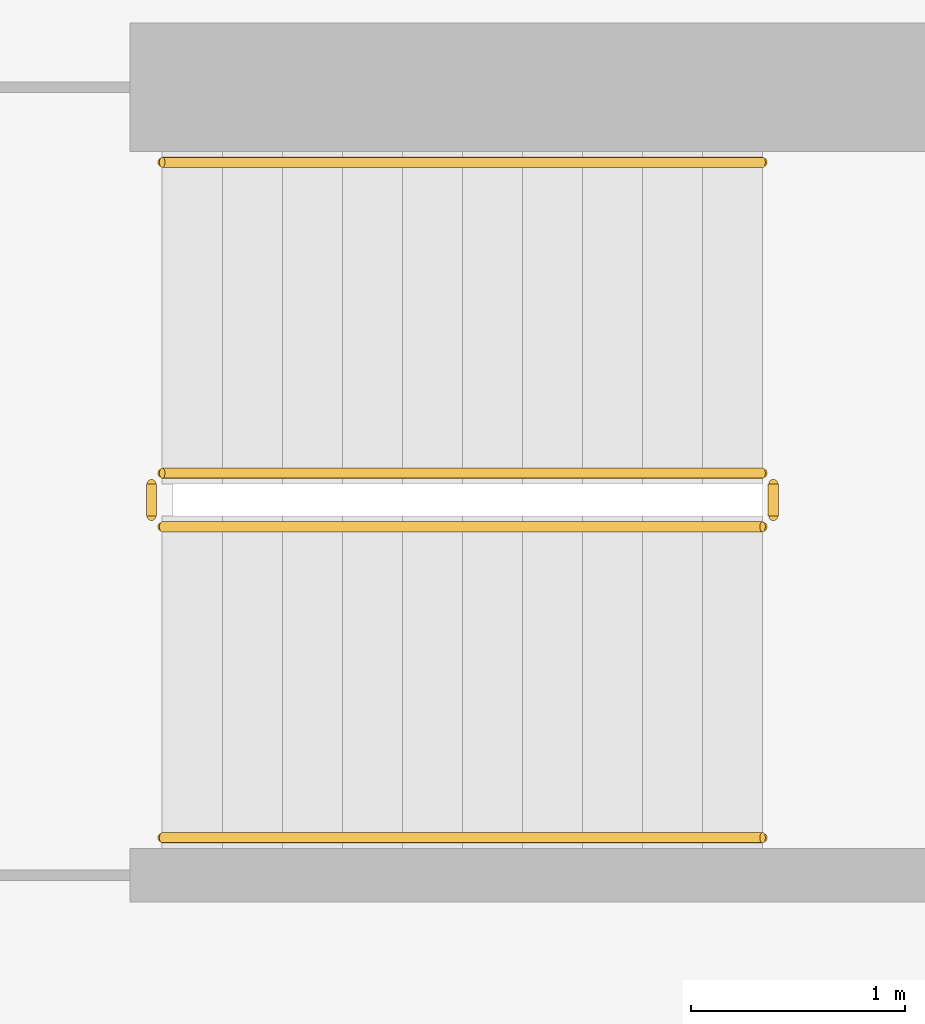
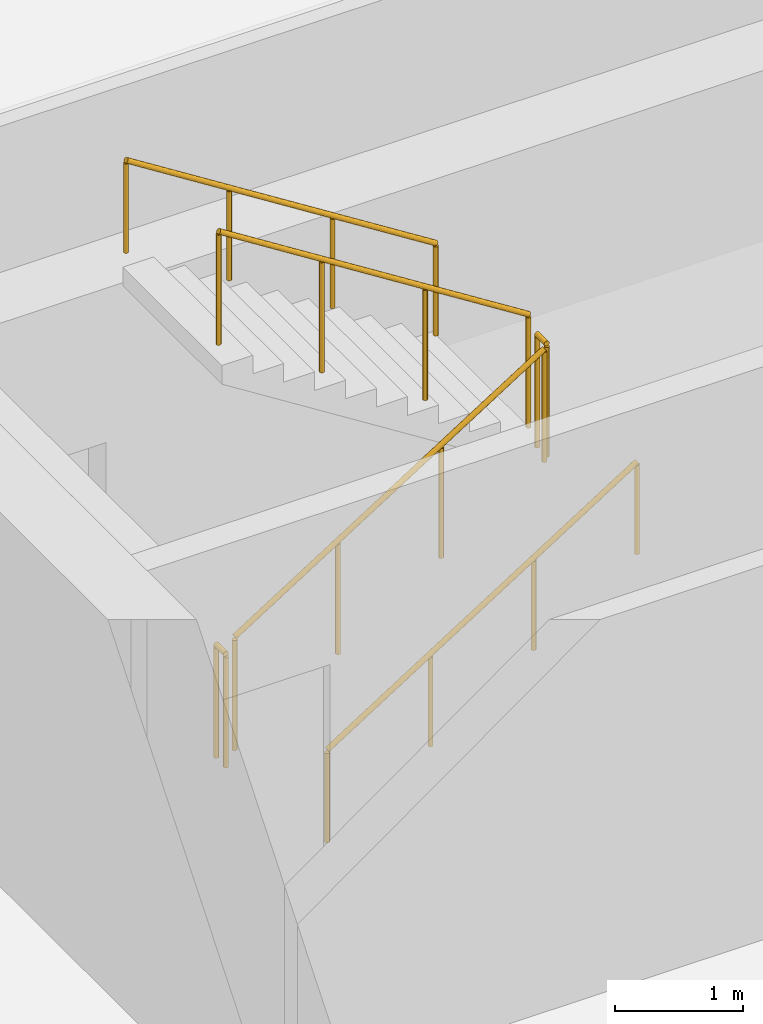
# One storey, part 9 of 11: 6 railings.
"""IFC4 building model written with IfcOpenShell, lengths in metres."""

from ifc_helpers import new_model, si_unit, direction, frame, origin, origin_2d, place, context, subcontext, project, spatial, circle, extrude, material, type_object, element, save


model = new_model("IFC4")

# Units and contexts
model_context = context("Model", 3, precision=1e-05, world=origin(), true_north=direction((0.0, 1.0)))
body_context = subcontext(model_context, "Body", "Model", "MODEL_VIEW")
ifc_project = project(units=[si_unit("LENGTHUNIT", "METRE"), si_unit("AREAUNIT", "SQUARE_METRE"), si_unit("VOLUMEUNIT", "CUBIC_METRE"), si_unit("PLANEANGLEUNIT", "RADIAN"), si_unit("MASSUNIT", "GRAM", prefix="KILO")], contexts=[model_context])

# Site, building, storey
site_placement = place(None, origin())
site = spatial("IfcSite", under=ifc_project, at=site_placement, CompositionType="ELEMENT")
building_placement = place(site_placement, origin())
building = spatial("IfcBuilding", under=site, at=building_placement, Name="Dhurran Vertical Campus", CompositionType="ELEMENT")
storey_placement = place(building_placement, frame((0.0, 0.0, 270.300048828125)))
storey = spatial("IfcBuildingStorey", under=building, at=storey_placement, Name="L67", CompositionType="ELEMENT", Elevation=270.300048828125)

# Railings
ifc_material_1 = material(Name="Stainless steel balustrade", Category="steel")
railing_type_1 = type_object("IfcRailingType", Name="co-RL-GUARD-1100", PredefinedType="GUARDRAIL", material=ifc_material_1)
railing_1_placement = place(storey_placement, frame((-11.10009765625, 8.89990234375, 0.17724609375)))
element("IfcRailing", 1, at=railing_1_placement, inside=storey, type_object=railing_type_1, Name="L67 ST1 stair guard 1", PredefinedType="GUARDRAIL", context=body_context, shape_type="SweptSolid", body=[
    extrude(circle(Radius=0.02392578125, at=origin_2d()), frame((0.0, 0.0, 1.076171875), z_axis=(0.844908973607, 0.0, 0.534910110503), x_axis=(0.0, 1.0, 0.0)), (0.0, 0.0, 1.0), 3.31396484375),
    extrude(circle(Radius=0.02099609375, at=origin_2d()), origin(), (0.0, 0.0, 1.0), 1.052001953125),
    extrude(circle(Radius=0.02099609375, at=origin_2d()), frame((0.933349609375, 0.0, 0.5908203125)), (0.0, 0.0, 1.0), 1.052001953125),
    extrude(circle(Radius=0.02099609375, at=origin_2d()), frame((1.86669921875, 0.0, 1.181884765625)), (0.0, 0.0, 1.0), 1.052001953125),
    extrude(circle(Radius=0.02099609375, at=origin_2d()), frame((2.800048828125, 0.0, 1.772705078125)), (0.0, 0.0, 1.0), 1.052001953125),
])
railing_2_placement = place(storey_placement, frame((-8.25, 8.949951171875, 1.949951171875)))
element("IfcRailing", 2, at=railing_2_placement, inside=storey, type_object=railing_type_1, Name="L67 ST1 stair guard 2", PredefinedType="GUARDRAIL", context=body_context, shape_type="SweptSolid", body=[
    extrude(circle(Radius=0.02392578125, at=origin_2d()), frame((0.0, 0.0, 1.076171875), z_axis=(0.0, 1.0, 0.0), x_axis=(-1.0, 0.0, 0.0)), (0.0, 0.0, 1.0), 0.150146484375),
    extrude(circle(Radius=0.02099609375, at=origin_2d()), origin(), (0.0, 0.0, 1.0), 1.052001953125),
    extrude(circle(Radius=0.02099609375, at=origin_2d()), frame((0.0, 0.150146484375, 0.0)), (0.0, 0.0, 1.0), 1.052001953125),
])
railing_3_placement = place(storey_placement, frame((-8.300048828125, 9.14990234375, 2.127197265625)))
element("IfcRailing", 3, at=railing_3_placement, inside=storey, type_object=railing_type_1, Name="L67 ST1 stair guard 3", PredefinedType="GUARDRAIL", context=body_context, shape_type="SweptSolid", body=[
    extrude(circle(Radius=0.02392578125, at=origin_2d()), frame((0.0, 0.0, 1.076171875), z_axis=(-0.844908973607, 0.0, 0.534910110503), x_axis=(0.0, -1.0, 0.0)), (0.0, 0.0, 1.0), 3.31396484375),
    extrude(circle(Radius=0.02099609375, at=origin_2d()), origin(), (0.0, 0.0, 1.0), 1.052001953125),
    extrude(circle(Radius=0.02099609375, at=origin_2d()), frame((-0.933349609375, 0.0, 0.5908203125)), (0.0, 0.0, 1.0), 1.052001953125),
    extrude(circle(Radius=0.02099609375, at=origin_2d()), frame((-1.86669921875, 0.0, 1.181884765625)), (0.0, 0.0, 1.0), 1.052001953125),
    extrude(circle(Radius=0.02099609375, at=origin_2d()), frame((-2.800048828125, 0.0, 1.772705078125)), (0.0, 0.0, 1.0), 1.052001953125),
])
railing_4_placement = place(storey_placement, frame((-11.14990234375, 8.949951171875, 0.0)))
element("IfcRailing", 4, at=railing_4_placement, inside=storey, type_object=railing_type_1, Name="L67 ST1 stair guard 4", PredefinedType="GUARDRAIL", context=body_context, shape_type="SweptSolid", body=[
    extrude(circle(Radius=0.02392578125, at=origin_2d()), frame((0.0, 0.0, 1.076171875), z_axis=(0.0, 1.0, 0.0), x_axis=(-1.0, 0.0, 0.0)), (0.0, 0.0, 1.0), 0.150146484375),
    extrude(circle(Radius=0.02099609375, at=origin_2d()), origin(), (0.0, 0.0, 1.0), 1.052001953125),
    extrude(circle(Radius=0.02099609375, at=origin_2d()), frame((0.0, 0.150146484375, 0.0)), (0.0, 0.0, 1.0), 1.052001953125),
])
ifc_material_2 = material(Name="Stainless steel handrail", Category="steel")
railing_type_2 = type_object("IfcRailingType", Name="co-RL-HANDRAIL-900", PredefinedType="HANDRAIL", material=ifc_material_2)
railing_5_placement = place(storey_placement, frame((-11.10009765625, 7.449951171875, 0.17724609375)))
element("IfcRailing", 5, at=railing_5_placement, inside=storey, type_object=railing_type_2, Name="L67 ST1 stair handrail 1", PredefinedType="HANDRAIL", context=body_context, shape_type="SweptSolid", body=[
    extrude(circle(Radius=0.02392578125, at=origin_2d()), frame((0.0, 0.0, 0.8759765625), z_axis=(0.844908973607, 0.0, 0.534910110503), x_axis=(0.0, 1.0, 0.0)), (0.0, 0.0, 1.0), 3.31396484375),
    extrude(circle(Radius=0.02099609375, at=origin_2d()), origin(), (0.0, 0.0, 1.0), 0.851806640625),
    extrude(circle(Radius=0.02099609375, at=origin_2d()), frame((0.933349609375, 0.0, 0.5908203125)), (0.0, 0.0, 1.0), 0.851806640625),
    extrude(circle(Radius=0.02099609375, at=origin_2d()), frame((1.86669921875, 0.0, 1.181884765625)), (0.0, 0.0, 1.0), 0.851806640625),
    extrude(circle(Radius=0.02099609375, at=origin_2d()), frame((2.800048828125, 0.0, 1.772705078125)), (0.0, 0.0, 1.0), 0.851806640625),
])
railing_6_placement = place(storey_placement, frame((-8.300048828125, 10.60009765625, 2.127197265625)))
element("IfcRailing", 6, at=railing_6_placement, inside=storey, type_object=railing_type_2, Name="L67 ST1 stair handrail 2", PredefinedType="HANDRAIL", context=body_context, shape_type="SweptSolid", body=[
    extrude(circle(Radius=0.02392578125, at=origin_2d()), frame((0.0, 0.0, 0.8759765625), z_axis=(-0.844908973607, 0.0, 0.534910110503), x_axis=(0.0, -1.0, 0.0)), (0.0, 0.0, 1.0), 3.31396484375),
    extrude(circle(Radius=0.02099609375, at=origin_2d()), origin(), (0.0, 0.0, 1.0), 0.851806640625),
    extrude(circle(Radius=0.02099609375, at=origin_2d()), frame((-0.933349609375, 0.0, 0.5908203125)), (0.0, 0.0, 1.0), 0.851806640625),
    extrude(circle(Radius=0.02099609375, at=origin_2d()), frame((-1.86669921875, 0.0, 1.181884765625)), (0.0, 0.0, 1.0), 0.851806640625),
    extrude(circle(Radius=0.02099609375, at=origin_2d()), frame((-2.800048828125, 0.0, 1.772705078125)), (0.0, 0.0, 1.0), 0.851806640625),
])

save(model, "model.ifc")
